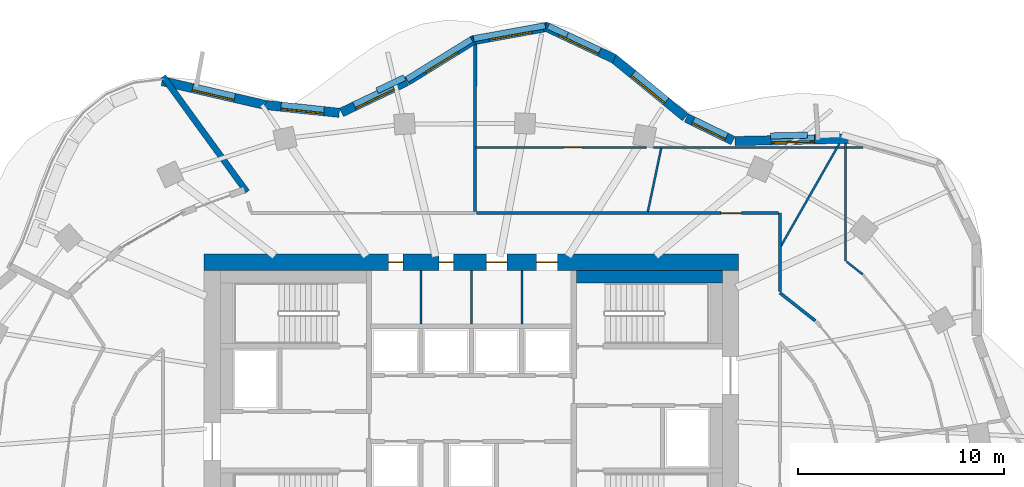
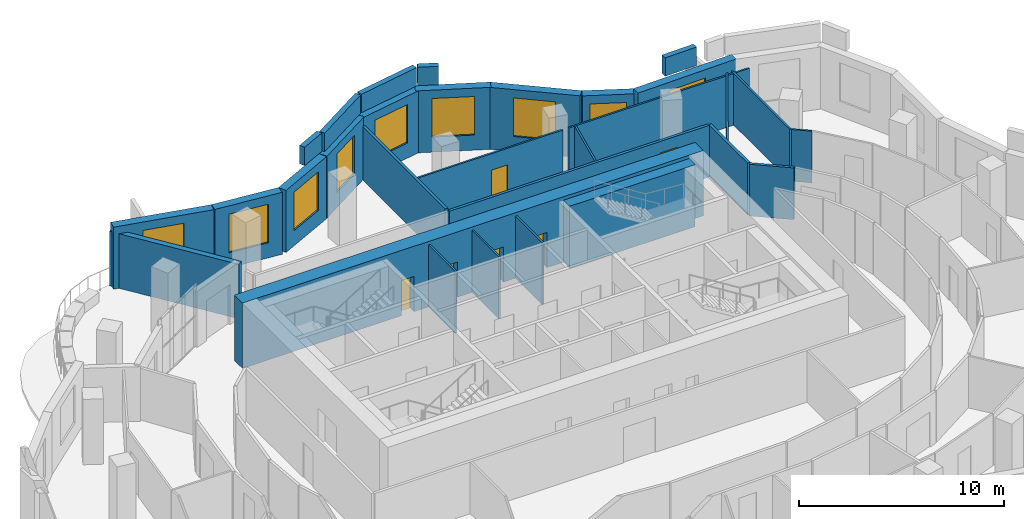
# One storey, part 10 of 13: 30 walls, 9 windows, 6 doors, 15 openings.
"""IFC4 building model written with IfcOpenShell, lengths in metres."""

from ifc_helpers import new_model, si_unit, direction, frame, frame_2d, origin, place, context, subcontext, project, spatial, rectangle, extrude, material, layer, layer_set, type_object, element, fill, save


model = new_model("IFC4")

# Units and contexts
model_context = context("Model", 3, precision=1e-05, world=origin(), true_north=direction((0.0, 1.0)))
body_context = subcontext(model_context, "Body", "Model", "MODEL_VIEW")
ifc_project = project(units=[si_unit("LENGTHUNIT", "METRE"), si_unit("AREAUNIT", "SQUARE_METRE"), si_unit("VOLUMEUNIT", "CUBIC_METRE"), si_unit("PLANEANGLEUNIT", "RADIAN"), si_unit("MASSUNIT", "GRAM", prefix="KILO")], contexts=[model_context])

# Site, building, storey
site_placement = place(None, origin())
site = spatial("IfcSite", under=ifc_project, at=site_placement, CompositionType="ELEMENT")
building_placement = place(site_placement, origin())
building = spatial("IfcBuilding", under=site, at=building_placement, Name="Rubra Terraces Tower", CompositionType="ELEMENT")
storey_placement = place(building_placement, frame((0.0, 0.0, 189.60009765625)))
storey = spatial("IfcBuildingStorey", under=building, at=storey_placement, Name="L46", CompositionType="ELEMENT", Elevation=189.60009765625)

# Wall, opening, window
ifc_material_1 = material(Name="Brick masonry red-brown", Category="masonry")
ifc_layer_1 = layer(ifc_material_1, 0.449951171875)
ifc_layer_set_1 = layer_set([ifc_layer_1], Name="Brick masonry red-brown")
wall_type_1 = type_object("IfcWallType", Name="Brick facade wall 450", PredefinedType="SOLIDWALL", material=ifc_layer_set_1)
wall_1_placement = place(storey_placement, frame((18.433837890625, 17.622314453125, 0.0), z_axis=(0.0, 0.0, 1.0), x_axis=(-0.999773749739, -0.021270856405, 0.0)))
wall_1 = element("IfcWall", 1, at=wall_1_placement, inside=storey, type_object=wall_type_1, Name="Facade wall L46 bay 6", PredefinedType="SOLIDWALL", context=body_context, shape_type="SweptSolid", body=[
    extrude(rectangle(XDim=5.612548828125, YDim=0.449951171875, at=frame_2d((2.80615234375, 0.0))), origin(), (0.0, 0.0, 1.0), 3.699951171875),
])
opening_1_placement = place(wall_1_placement, frame((1.75634765625, 0.0, 0.89990234375)))
opening_1 = element("IfcOpeningElement", 2, at=opening_1_placement, cuts=wall_1, Name="Opening W1B", PredefinedType="OPENING", context=body_context, shape_type="SweptSolid", body=[
    extrude(rectangle(XDim=2.10009765625, YDim=2.300048828125, at=frame_2d((1.050048828125, 1.14990234375))), frame((0.0, 0.23486328125, 0.0), z_axis=(0.0, -1.0, 0.0), x_axis=(1.0, 0.0, 0.0)), (0.0, 0.0, 1.0), 0.469970703125),
])
ifc_material_2 = material(Name="Clear glass in aluminium frame", Category="aluminium")
window_type_1 = type_object("IfcWindowType", Name="Fixed deep-set window tall storey 2100 x 2300", PartitioningType="SINGLE_PANEL", PredefinedType="WINDOW", material=ifc_material_2)
window_1_placement = place(opening_1_placement, origin())
window_1 = element("IfcWindow", 3, at=window_1_placement, inside=storey, type_object=window_type_1, Name="Window L46 bay 6", OverallHeight=2.300048828125, OverallWidth=2.10009765625, PartitioningType="SINGLE_PANEL", PredefinedType="WINDOW", context=body_context, shape_type="SweptSolid", body=[
    extrude(rectangle(XDim=2.10009765625, YDim=2.300048828125, at=frame_2d((1.050048828125, 1.14990234375))), frame((0.0, 0.135009765625, 0.0), z_axis=(0.0, -1.0, 0.0), x_axis=(1.0, 0.0, 0.0)), (0.0, 0.0, 1.0), 0.06005859375),
])
fill(opening_1, window_1)

wall_2_placement = place(storey_placement, frame((12.718994140625, 17.52587890625, 0.0), z_axis=(0.0, 0.0, 1.0), x_axis=(-0.898643806462, 0.438679050226, 0.0)))
wall_2 = element("IfcWall", 4, at=wall_2_placement, inside=storey, type_object=wall_type_1, Name="Facade wall L46 bay 7", PredefinedType="SOLIDWALL", context=body_context, shape_type="SweptSolid", body=[
    extrude(rectangle(XDim=2.5234375, YDim=0.449951171875, at=frame_2d((1.26171875, 0.0))), origin(), (0.0, 0.0, 1.0), 3.699951171875),
])
opening_2_placement = place(wall_2_placement, frame((0.36181640625, 0.0, 0.89990234375)))
opening_2 = element("IfcOpeningElement", 5, at=opening_2_placement, cuts=wall_2, Name="Opening W6B", PredefinedType="OPENING", context=body_context, shape_type="SweptSolid", body=[
    extrude(rectangle(XDim=1.800048828125, YDim=2.300048828125, at=frame_2d((0.89990234375, 1.14990234375))), frame((0.0, 0.23486328125, 0.0), z_axis=(0.0, -1.0, 0.0), x_axis=(1.0, 0.0, 0.0)), (0.0, 0.0, 1.0), 0.469970703125),
])
window_type_2 = type_object("IfcWindowType", Name="Fixed deep-set window at wind fin tall storey 1800 x 2300", PartitioningType="SINGLE_PANEL", PredefinedType="WINDOW", material=ifc_material_2)
window_2_placement = place(opening_2_placement, origin())
window_2 = element("IfcWindow", 6, at=window_2_placement, inside=storey, type_object=window_type_2, Name="Window L46 bay 7", OverallHeight=2.300048828125, OverallWidth=1.800048828125, PartitioningType="SINGLE_PANEL", PredefinedType="WINDOW", context=body_context, shape_type="SweptSolid", body=[
    extrude(rectangle(XDim=1.800048828125, YDim=2.300048828125, at=frame_2d((0.89990234375, 1.14990234375))), frame((0.0, 0.135009765625, 0.0), z_axis=(0.0, -1.0, 0.0), x_axis=(1.0, 0.0, 0.0)), (0.0, 0.0, 1.0), 0.06005859375),
])
fill(opening_2, window_2)

wall_3_placement = place(storey_placement, frame((10.407470703125, 18.660888671875, 0.0), z_axis=(0.0, 0.0, 1.0), x_axis=(-0.773702458947, 0.633549133864, 0.0)))
wall_3 = element("IfcWall", 7, at=wall_3_placement, inside=storey, type_object=wall_type_1, Name="Facade wall L46 bay 8", PredefinedType="SOLIDWALL", context=body_context, shape_type="SweptSolid", body=[
    extrude(rectangle(XDim=4.525634765625, YDim=0.449951171875, at=frame_2d((2.2626953125, 0.0))), origin(), (0.0, 0.0, 1.0), 3.699951171875),
])
opening_3_placement = place(wall_3_placement, frame((1.212890625, 0.0, 0.89990234375)))
opening_3 = element("IfcOpeningElement", 8, at=opening_3_placement, cuts=wall_3, Name="Opening W1B", PredefinedType="OPENING", context=body_context, shape_type="SweptSolid", body=[
    extrude(rectangle(XDim=2.10009765625, YDim=2.300048828125, at=frame_2d((1.050048828125, 1.14990234375))), frame((0.0, 0.23486328125, 0.0), z_axis=(0.0, -1.0, 0.0), x_axis=(1.0, 0.0, 0.0)), (0.0, 0.0, 1.0), 0.469970703125),
])
window_3_placement = place(opening_3_placement, origin())
window_3 = element("IfcWindow", 9, at=window_3_placement, inside=storey, type_object=window_type_1, Name="Window L46 bay 8", OverallHeight=2.300048828125, OverallWidth=2.10009765625, PartitioningType="SINGLE_PANEL", PredefinedType="WINDOW", context=body_context, shape_type="SweptSolid", body=[
    extrude(rectangle(XDim=2.10009765625, YDim=2.300048828125, at=frame_2d((1.050048828125, 1.14990234375))), frame((0.0, 0.135009765625, 0.0), z_axis=(0.0, -1.0, 0.0), x_axis=(1.0, 0.0, 0.0)), (0.0, 0.0, 1.0), 0.06005859375),
])
fill(opening_3, window_3)

wall_4_placement = place(storey_placement, frame((6.952880859375, 21.49853515625, 0.0), z_axis=(0.0, 0.0, 1.0), x_axis=(-0.905034581957, 0.425337989676, 0.0)))
wall_4 = element("IfcWall", 10, at=wall_4_placement, inside=storey, type_object=wall_type_1, Name="Facade wall L46 bay 9", PredefinedType="SOLIDWALL", context=body_context, shape_type="SweptSolid", body=[
    extrude(rectangle(XDim=3.71435546875, YDim=0.449951171875, at=frame_2d((1.857177734375, 0.0))), origin(), (0.0, 0.0, 1.0), 3.699951171875),
])
opening_4_placement = place(wall_4_placement, frame((0.80712890625, 0.0, 0.89990234375)))
opening_4 = element("IfcOpeningElement", 11, at=opening_4_placement, cuts=wall_4, Name="Opening W1B", PredefinedType="OPENING", context=body_context, shape_type="SweptSolid", body=[
    extrude(rectangle(XDim=2.10009765625, YDim=2.300048828125, at=frame_2d((1.050048828125, 1.14990234375))), frame((0.0, 0.23486328125, 0.0), z_axis=(0.0, -1.0, 0.0), x_axis=(1.0, 0.0, 0.0)), (0.0, 0.0, 1.0), 0.469970703125),
])
window_4_placement = place(opening_4_placement, origin())
window_4 = element("IfcWindow", 12, at=window_4_placement, inside=storey, type_object=window_type_1, Name="Window L46 bay 9", OverallHeight=2.300048828125, OverallWidth=2.10009765625, PartitioningType="SINGLE_PANEL", PredefinedType="WINDOW", context=body_context, shape_type="SweptSolid", body=[
    extrude(rectangle(XDim=2.10009765625, YDim=2.300048828125, at=frame_2d((1.050048828125, 1.14990234375))), frame((0.0, 0.135009765625, 0.0), z_axis=(0.0, -1.0, 0.0), x_axis=(1.0, 0.0, 0.0)), (0.0, 0.0, 1.0), 0.06005859375),
])
fill(opening_4, window_4)

wall_5_placement = place(storey_placement, frame((3.726806640625, 23.060546875, 0.0), z_axis=(0.0, 0.0, 1.0), x_axis=(-0.984119180424, -0.177508982087, 0.0)))
wall_5 = element("IfcWall", 13, at=wall_5_placement, inside=storey, type_object=wall_type_1, Name="Facade wall L46 bay 10", PredefinedType="SOLIDWALL", context=body_context, shape_type="SweptSolid", body=[
    extrude(rectangle(XDim=3.74658203125, YDim=0.449951171875, at=frame_2d((1.873291015625, 0.0))), origin(), (0.0, 0.0, 1.0), 3.699951171875),
])
opening_5_placement = place(wall_5_placement, frame((0.8232421875, 0.0, 0.89990234375)))
opening_5 = element("IfcOpeningElement", 14, at=opening_5_placement, cuts=wall_5, Name="Opening W1B", PredefinedType="OPENING", context=body_context, shape_type="SweptSolid", body=[
    extrude(rectangle(XDim=2.10009765625, YDim=2.300048828125, at=frame_2d((1.050048828125, 1.14990234375))), frame((0.0, 0.23486328125, 0.0), z_axis=(0.0, -1.0, 0.0), x_axis=(1.0, 0.0, 0.0)), (0.0, 0.0, 1.0), 0.469970703125),
])
window_5_placement = place(opening_5_placement, origin())
window_5 = element("IfcWindow", 15, at=window_5_placement, inside=storey, type_object=window_type_1, Name="Window L46 bay 10", OverallHeight=2.300048828125, OverallWidth=2.10009765625, PartitioningType="SINGLE_PANEL", PredefinedType="WINDOW", context=body_context, shape_type="SweptSolid", body=[
    extrude(rectangle(XDim=2.10009765625, YDim=2.300048828125, at=frame_2d((1.050048828125, 1.14990234375))), frame((0.0, 0.135009765625, 0.0), z_axis=(0.0, -1.0, 0.0), x_axis=(1.0, 0.0, 0.0)), (0.0, 0.0, 1.0), 0.06005859375),
])
fill(opening_5, window_5)

wall_6_placement = place(storey_placement, frame((0.114990234375, 22.423583984375, 0.0), z_axis=(0.0, 0.0, 1.0), x_axis=(-0.8506970368, -0.525656305564, 0.0)))
wall_6 = element("IfcWall", 16, at=wall_6_placement, inside=storey, type_object=wall_type_1, Name="Facade wall L46 bay 11", PredefinedType="SOLIDWALL", context=body_context, shape_type="SweptSolid", body=[
    extrude(rectangle(XDim=3.81640625, YDim=0.449951171875, at=frame_2d((1.908203125, 0.0))), origin(), (0.0, 0.0, 1.0), 3.699951171875),
])
opening_6_placement = place(wall_6_placement, frame((1.00830078125, 0.0, 0.89990234375)))
opening_6 = element("IfcOpeningElement", 17, at=opening_6_placement, cuts=wall_6, Name="Opening W6B", PredefinedType="OPENING", context=body_context, shape_type="SweptSolid", body=[
    extrude(rectangle(XDim=1.800048828125, YDim=2.300048828125, at=frame_2d((0.89990234375, 1.14990234375))), frame((0.0, 0.23486328125, 0.0), z_axis=(0.0, -1.0, 0.0), x_axis=(1.0, 0.0, 0.0)), (0.0, 0.0, 1.0), 0.469970703125),
])
window_6_placement = place(opening_6_placement, origin())
window_6 = element("IfcWindow", 18, at=window_6_placement, inside=storey, type_object=window_type_2, Name="Window L46 bay 11", OverallHeight=2.300048828125, OverallWidth=1.800048828125, PartitioningType="SINGLE_PANEL", PredefinedType="WINDOW", context=body_context, shape_type="SweptSolid", body=[
    extrude(rectangle(XDim=1.800048828125, YDim=2.300048828125, at=frame_2d((0.89990234375, 1.14990234375))), frame((0.0, 0.135009765625, 0.0), z_axis=(0.0, -1.0, 0.0), x_axis=(1.0, 0.0, 0.0)), (0.0, 0.0, 1.0), 0.06005859375),
])
fill(opening_6, window_6)

wall_7_placement = place(storey_placement, frame((-3.153564453125, 20.406005859375, 0.0), z_axis=(0.0, 0.0, 1.0), x_axis=(-0.902333313, -0.431038968367, 0.0)))
wall_7 = element("IfcWall", 19, at=wall_7_placement, inside=storey, type_object=wall_type_1, Name="Facade wall L46 bay 12", PredefinedType="SOLIDWALL", context=body_context, shape_type="SweptSolid", body=[
    extrude(rectangle(XDim=3.50537109375, YDim=0.449951171875, at=frame_2d((1.752685546875, 0.0))), origin(), (0.0, 0.0, 1.0), 3.699951171875),
])
opening_7_placement = place(wall_7_placement, frame((0.702880859375, 0.0, 0.89990234375)))
opening_7 = element("IfcOpeningElement", 20, at=opening_7_placement, cuts=wall_7, Name="Opening W1B", PredefinedType="OPENING", context=body_context, shape_type="SweptSolid", body=[
    extrude(rectangle(XDim=2.10009765625, YDim=2.300048828125, at=frame_2d((1.050048828125, 1.14990234375))), frame((0.0, 0.23486328125, 0.0), z_axis=(0.0, -1.0, 0.0), x_axis=(1.0, 0.0, 0.0)), (0.0, 0.0, 1.0), 0.469970703125),
])
window_7_placement = place(opening_7_placement, origin())
window_7 = element("IfcWindow", 21, at=window_7_placement, inside=storey, type_object=window_type_1, Name="Window L46 bay 12", OverallHeight=2.300048828125, OverallWidth=2.10009765625, PartitioningType="SINGLE_PANEL", PredefinedType="WINDOW", context=body_context, shape_type="SweptSolid", body=[
    extrude(rectangle(XDim=2.10009765625, YDim=2.300048828125, at=frame_2d((1.050048828125, 1.14990234375))), frame((0.0, 0.135009765625, 0.0), z_axis=(0.0, -1.0, 0.0), x_axis=(1.0, 0.0, 0.0)), (0.0, 0.0, 1.0), 0.06005859375),
])
fill(opening_7, window_7)

wall_8_placement = place(storey_placement, frame((-6.4267578125, 18.875244140625, 0.0), z_axis=(0.0, 0.0, 1.0), x_axis=(-0.994433468803, 0.10536638992, 0.0)))
wall_8 = element("IfcWall", 22, at=wall_8_placement, inside=storey, type_object=wall_type_1, Name="Facade wall L46 bay 13", PredefinedType="SOLIDWALL", context=body_context, shape_type="SweptSolid", body=[
    extrude(rectangle(XDim=3.598388671875, YDim=0.449951171875, at=frame_2d((1.79931640625, 0.0))), origin(), (0.0, 0.0, 1.0), 3.699951171875),
])
opening_8_placement = place(wall_8_placement, frame((0.749267578125, 0.0, 0.89990234375)))
opening_8 = element("IfcOpeningElement", 23, at=opening_8_placement, cuts=wall_8, Name="Opening W1B", PredefinedType="OPENING", context=body_context, shape_type="SweptSolid", body=[
    extrude(rectangle(XDim=2.10009765625, YDim=2.300048828125, at=frame_2d((1.050048828125, 1.14990234375))), frame((0.0, 0.23486328125, 0.0), z_axis=(0.0, -1.0, 0.0), x_axis=(1.0, 0.0, 0.0)), (0.0, 0.0, 1.0), 0.469970703125),
])
window_8_placement = place(opening_8_placement, origin())
window_8 = element("IfcWindow", 24, at=window_8_placement, inside=storey, type_object=window_type_1, Name="Window L46 bay 13", OverallHeight=2.300048828125, OverallWidth=2.10009765625, PartitioningType="SINGLE_PANEL", PredefinedType="WINDOW", context=body_context, shape_type="SweptSolid", body=[
    extrude(rectangle(XDim=2.10009765625, YDim=2.300048828125, at=frame_2d((1.050048828125, 1.14990234375))), frame((0.0, 0.135009765625, 0.0), z_axis=(0.0, -1.0, 0.0), x_axis=(1.0, 0.0, 0.0)), (0.0, 0.0, 1.0), 0.06005859375),
])
fill(opening_8, window_8)

wall_9_placement = place(storey_placement, frame((-10.0341796875, 19.258544921875, 0.0), z_axis=(0.0, 0.0, 1.0), x_axis=(-0.974223567844, 0.225584662283, 0.0)))
wall_9 = element("IfcWall", 25, at=wall_9_placement, inside=storey, type_object=wall_type_1, Name="Facade wall L46 bay 14", PredefinedType="SOLIDWALL", context=body_context, shape_type="SweptSolid", body=[
    extrude(rectangle(XDim=5.138671875, YDim=0.449951171875, at=frame_2d((2.5693359375, 0.0))), origin(), (0.0, 0.0, 1.0), 3.699951171875),
])
opening_9_placement = place(wall_9_placement, frame((1.51904296875, 0.0, 0.89990234375)))
opening_9 = element("IfcOpeningElement", 26, at=opening_9_placement, cuts=wall_9, Name="Opening W1B", PredefinedType="OPENING", context=body_context, shape_type="SweptSolid", body=[
    extrude(rectangle(XDim=2.10009765625, YDim=2.300048828125, at=frame_2d((1.050048828125, 1.14990234375))), frame((0.0, 0.23486328125, 0.0), z_axis=(0.0, -1.0, 0.0), x_axis=(1.0, 0.0, 0.0)), (0.0, 0.0, 1.0), 0.469970703125),
])
window_9_placement = place(opening_9_placement, origin())
window_9 = element("IfcWindow", 27, at=window_9_placement, inside=storey, type_object=window_type_1, Name="Window L46 bay 14", OverallHeight=2.300048828125, OverallWidth=2.10009765625, PartitioningType="SINGLE_PANEL", PredefinedType="WINDOW", context=body_context, shape_type="SweptSolid", body=[
    extrude(rectangle(XDim=2.10009765625, YDim=2.300048828125, at=frame_2d((1.050048828125, 1.14990234375))), frame((0.0, 0.135009765625, 0.0), z_axis=(0.0, -1.0, 0.0), x_axis=(1.0, 0.0, 0.0)), (0.0, 0.0, 1.0), 0.06005859375),
])
fill(opening_9, window_9)

# Walls
ifc_layer_2 = layer(ifc_material_1, 0.300048828125)
ifc_layer_set_2 = layer_set([ifc_layer_2], Name="Brick masonry red-brown")
wall_type_2 = type_object("IfcWallType", Name="Brick parapet 300", PredefinedType="PARAPET", material=ifc_layer_set_2)
wall_10_placement = place(storey_placement, frame((16.339599609375, 17.791259765625, 3.89990234375), z_axis=(0.0, 0.0, 1.0), x_axis=(-0.999776010316, -0.021164337831, 0.0)))
element("IfcWall", 28, at=wall_10_placement, inside=storey, type_object=wall_type_2, Name="Parapet L46 bay 6.2", PredefinedType="PARAPET", context=body_context, shape_type="SweptSolid", body=[
    extrude(rectangle(XDim=1.7880859375, YDim=0.300048828125, at=frame_2d((0.89404296875, 0.0))), origin(), (0.0, 0.0, 1.0), 1.10009765625),
])
wall_11_placement = place(storey_placement, frame((4.66650390625, 22.656005859375, 3.89990234375), z_axis=(0.0, 0.0, 1.0), x_axis=(-0.905050240273, 0.425304670304, 0.0)))
element("IfcWall", 29, at=wall_11_placement, inside=storey, type_object=wall_type_2, Name="Parapet L46 bay 9", PredefinedType="PARAPET", context=body_context, shape_type="SweptSolid", body=[
    extrude(rectangle(XDim=1.02685546875, YDim=0.300048828125, at=frame_2d((0.513427734375, 0.0))), origin(), (0.0, 0.0, 1.0), 1.10009765625),
])
wall_12_placement = place(storey_placement, frame((3.58984375, 23.112060546875, 3.89990234375), z_axis=(0.0, 0.0, 1.0), x_axis=(-0.984124248147, -0.177480884064, 0.0)))
element("IfcWall", 30, at=wall_12_placement, inside=storey, type_object=wall_type_2, Name="Parapet L46 bay 10", PredefinedType="PARAPET", context=body_context, shape_type="SweptSolid", body=[
    extrude(rectangle(XDim=3.533935546875, YDim=0.300048828125, at=frame_2d((1.76708984375, 0.0))), origin(), (0.0, 0.0, 1.0), 1.10009765625),
])
wall_13_placement = place(storey_placement, frame((0.0048828125, 22.443603515625, 3.89990234375), z_axis=(0.0, 0.0, 1.0), x_axis=(-0.850710394144, -0.525634688063, 0.0)))
element("IfcWall", 31, at=wall_13_placement, inside=storey, type_object=wall_type_2, Name="Parapet L46 bay 11", PredefinedType="PARAPET", context=body_context, shape_type="SweptSolid", body=[
    extrude(rectangle(XDim=3.701904296875, YDim=0.300048828125, at=frame_2d((1.85107421875, 0.0))), origin(), (0.0, 0.0, 1.0), 1.10009765625),
])
wall_14_placement = place(storey_placement, frame((-3.2392578125, 20.594482421875, 3.89990234375), z_axis=(0.0, 0.0, 1.0), x_axis=(-0.902344893923, -0.431014724123, 0.0)))
element("IfcWall", 32, at=wall_14_placement, inside=storey, type_object=wall_type_2, Name="Parapet L46 bay 12", PredefinedType="PARAPET", context=body_context, shape_type="SweptSolid", body=[
    extrude(rectangle(XDim=1.48974609375, YDim=0.300048828125, at=frame_2d((0.744873046875, 0.0))), origin(), (0.0, 0.0, 1.0), 1.10009765625),
])

# Wall, openings, doors
ifc_material_3 = material(Name="Concrete C50", Category="concrete")
ifc_layer_3 = layer(ifc_material_3, 0.800048828125)
ifc_layer_set_3 = layer_set([ifc_layer_3], Name="Concrete C50")
wall_type_3 = type_object("IfcWallType", Name="CORE WALL 800 C50", PredefinedType="SHEAR", material=ifc_layer_set_3)
wall_15_placement = place(storey_placement, frame((-13.0, 11.60009765625, 0.0), z_axis=(0.0, 0.0, 1.0), x_axis=(1.0, 0.0, 0.0)))
wall_15 = element("IfcWall", 33, at=wall_15_placement, inside=storey, type_object=wall_type_3, Name="CORE WALL N L46", PredefinedType="SHEAR", context=body_context, shape_type="SweptSolid", body=[
    extrude(rectangle(XDim=26.0, YDim=0.800048828125, at=frame_2d((13.0, 0.0))), origin(), (0.0, 0.0, 1.0), 3.89990234375),
])
opening_10_placement = place(wall_15_placement, frame((8.97509765625, 0.0, 0.0)))
opening_10 = element("IfcOpeningElement", 34, at=opening_10_placement, cuts=wall_15, Name="Opening L46.C25", PredefinedType="OPENING", context=body_context, shape_type="SweptSolid", body=[
    extrude(rectangle(XDim=0.699951171875, YDim=2.10009765625, at=frame_2d((0.35009765625, 1.050048828125))), frame((0.0, 0.409912109375, 0.0), z_axis=(0.0, -1.0, 0.0), x_axis=(1.0, 0.0, 0.0)), (0.0, 0.0, 1.0), 0.820068359375),
])
opening_11_placement = place(wall_15_placement, frame((11.425048828125, 0.0, 0.0)))
opening_11 = element("IfcOpeningElement", 35, at=opening_11_placement, cuts=wall_15, Name="Opening L46.C26", PredefinedType="OPENING", context=body_context, shape_type="SweptSolid", body=[
    extrude(rectangle(XDim=0.699951171875, YDim=2.10009765625, at=frame_2d((0.35009765625, 1.050048828125))), frame((0.0, 0.409912109375, 0.0), z_axis=(0.0, -1.0, 0.0), x_axis=(1.0, 0.0, 0.0)), (0.0, 0.0, 1.0), 0.820068359375),
])
opening_12_placement = place(wall_15_placement, frame((13.72509765625, 0.0, 0.0)))
opening_12 = element("IfcOpeningElement", 36, at=opening_12_placement, cuts=wall_15, Name="Opening L46.C27", PredefinedType="OPENING", context=body_context, shape_type="SweptSolid", body=[
    extrude(rectangle(XDim=1.0, YDim=2.10009765625, at=frame_2d((0.5, 1.050048828125))), frame((0.0, 0.409912109375, 0.0), z_axis=(0.0, -1.0, 0.0), x_axis=(1.0, 0.0, 0.0)), (0.0, 0.0, 1.0), 0.820068359375),
])
opening_13_placement = place(wall_15_placement, frame((16.175048828125, 0.0, 0.0)))
opening_13 = element("IfcOpeningElement", 37, at=opening_13_placement, cuts=wall_15, Name="Opening L46.C28", PredefinedType="OPENING", context=body_context, shape_type="SweptSolid", body=[
    extrude(rectangle(XDim=1.0, YDim=2.10009765625, at=frame_2d((0.5, 1.050048828125))), frame((0.0, 0.409912109375, 0.0), z_axis=(0.0, -1.0, 0.0), x_axis=(1.0, 0.0, 0.0)), (0.0, 0.0, 1.0), 0.820068359375),
])
ifc_material_4 = material(Name="Painted steel", Category="steel")
door_type_1 = type_object("IfcDoorType", Name="Fire door 1000x2100 single", OperationType="NOTDEFINED", PredefinedType="DOOR", material=ifc_material_4)
door_1_placement = place(opening_12_placement, origin())
door_1 = element("IfcDoor", 38, at=door_1_placement, inside=storey, type_object=door_type_1, Name="Tea point door", OperationType="SINGLE_SWING_LEFT", OverallHeight=2.10009765625, OverallWidth=1.0, PredefinedType="DOOR", context=body_context, shape_type="SweptSolid", body=[
    extrude(rectangle(XDim=1.0, YDim=2.10009765625, at=frame_2d((0.5, 1.050048828125))), frame((0.0, 0.02490234375, 0.0), z_axis=(0.0, -1.0, 0.0), x_axis=(1.0, 0.0, 0.0)), (0.0, 0.0, 1.0), 0.050048828125),
])
fill(opening_12, door_1)
door_2_placement = place(opening_13_placement, origin())
door_2 = element("IfcDoor", 39, at=door_2_placement, inside=storey, type_object=door_type_1, Name="General store door", OperationType="SINGLE_SWING_RIGHT", OverallHeight=2.10009765625, OverallWidth=1.0, PredefinedType="DOOR", context=body_context, shape_type="SweptSolid", body=[
    extrude(rectangle(XDim=1.0, YDim=2.10009765625, at=frame_2d((0.5, 1.050048828125))), frame((0.0, 0.02490234375, 0.0), z_axis=(0.0, -1.0, 0.0), x_axis=(1.0, 0.0, 0.0)), (0.0, 0.0, 1.0), 0.050048828125),
])
fill(opening_13, door_2)
door_type_2 = type_object("IfcDoorType", Name="Riser access door 700x2100 single", OperationType="NOTDEFINED", PredefinedType="DOOR", material=ifc_material_4)
door_3_placement = place(opening_10_placement, origin())
door_3 = element("IfcDoor", 40, at=door_3_placement, inside=storey, type_object=door_type_2, Name="Electrical riser room door", OperationType="SINGLE_SWING_LEFT", OverallHeight=2.10009765625, OverallWidth=0.699951171875, PredefinedType="DOOR", context=body_context, shape_type="SweptSolid", body=[
    extrude(rectangle(XDim=0.699951171875, YDim=2.10009765625, at=frame_2d((0.35009765625, 1.050048828125))), frame((0.0, 0.02490234375, 0.0), z_axis=(0.0, -1.0, 0.0), x_axis=(1.0, 0.0, 0.0)), (0.0, 0.0, 1.0), 0.050048828125),
])
fill(opening_10, door_3)
door_4_placement = place(opening_11_placement, origin())
door_4 = element("IfcDoor", 41, at=door_4_placement, inside=storey, type_object=door_type_2, Name="Telecoms room door", OperationType="SINGLE_SWING_RIGHT", OverallHeight=2.10009765625, OverallWidth=0.699951171875, PredefinedType="DOOR", context=body_context, shape_type="SweptSolid", body=[
    extrude(rectangle(XDim=0.699951171875, YDim=2.10009765625, at=frame_2d((0.35009765625, 1.050048828125))), frame((0.0, 0.02490234375, 0.0), z_axis=(0.0, -1.0, 0.0), x_axis=(1.0, 0.0, 0.0)), (0.0, 0.0, 1.0), 0.050048828125),
])
fill(opening_11, door_4)

# Walls
ifc_material_5 = material(Name="Plasterboard on steel stud, mineral wool infill", Category="steel")
ifc_layer_4 = layer(ifc_material_5, 0.14990234375)
ifc_layer_set_4 = layer_set([ifc_layer_4], Name="Plasterboard on steel stud, mineral wool infill")
wall_type_4 = type_object("IfcWallType", Name="CORRIDOR PARTITION 150", PredefinedType="PARTITIONING", material=ifc_layer_set_4)
wall_16_placement = place(storey_placement, frame((16.723876953125, 8.761474609375, 0.0), z_axis=(0.0, 0.0, 1.0), x_axis=(-0.785124633057, 0.619337800047, 0.0)))
element("IfcWall", 42, at=wall_16_placement, inside=storey, type_object=wall_type_4, Name="PARTITION", PredefinedType="PARTITIONING", context=body_context, shape_type="SweptSolid", body=[
    extrude(rectangle(XDim=2.195556640625, YDim=0.14990234375, at=frame_2d((1.09765625, 0.0))), origin(), (0.0, 0.0, 1.0), 3.083984375),
])
wall_17_placement = place(storey_placement, frame((15.0, 10.1962890625, 0.0), z_axis=(0.0, 0.0, 1.0), x_axis=(0.0, 1.0, 0.0)))
element("IfcWall", 43, at=wall_17_placement, inside=storey, type_object=wall_type_4, Name="PARTITION", PredefinedType="PARTITIONING", context=body_context, shape_type="SweptSolid", body=[
    extrude(rectangle(XDim=3.8037109375, YDim=0.14990234375, at=frame_2d((1.90185546875, 0.0))), origin(), (0.0, 0.0, 1.0), 3.083984375),
])

# Wall, opening, door
wall_18_placement = place(storey_placement, frame((14.925048828125, 14.0, 0.0), z_axis=(0.0, 0.0, 1.0), x_axis=(-1.0, 0.0, 0.0)))
wall_18 = element("IfcWall", 44, at=wall_18_placement, inside=storey, type_object=wall_type_4, Name="PARTITION", PredefinedType="PARTITIONING", context=body_context, shape_type="SweptSolid", body=[
    extrude(rectangle(XDim=14.677001953125, YDim=0.14990234375, at=frame_2d((7.33837890625, 0.0))), origin(), (0.0, 0.0, 1.0), 3.083984375),
])
opening_14_placement = place(wall_18_placement, frame((1.794921875, 0.0, 0.0)))
opening_14 = element("IfcOpeningElement", 45, at=opening_14_placement, cuts=wall_18, Name="Opening 46-117", PredefinedType="OPENING", context=body_context, shape_type="SweptSolid", body=[
    extrude(rectangle(XDim=1.0, YDim=2.39990234375, at=frame_2d((0.5, 1.199951171875))), frame((0.0, 0.0849609375, 0.0), z_axis=(0.0, -1.0, 0.0), x_axis=(1.0, 0.0, 0.0)), (0.0, 0.0, 1.0), 0.169921875),
])
ifc_material_6 = material(Name="Glazed aluminium meeting door leaf", Category="aluminium")
door_type_3 = type_object("IfcDoorType", Name="MEETING ROOM GLAZED DOOR 1000 X 2400", OperationType="SINGLE_SWING_LEFT", PredefinedType="DOOR", material=ifc_material_6)
door_5_placement = place(opening_14_placement, origin())
door_5 = element("IfcDoor", 46, at=door_5_placement, inside=storey, type_object=door_type_3, Name="DOOR 46-117", OperationType="SINGLE_SWING_RIGHT", OverallHeight=2.39990234375, OverallWidth=1.0, PredefinedType="DOOR", context=body_context, shape_type="SweptSolid", body=[
    extrude(rectangle(XDim=1.0, YDim=2.39990234375, at=frame_2d((0.5, 1.199951171875))), frame((0.0, 0.02490234375, 0.0), z_axis=(0.0, -1.0, 0.0), x_axis=(1.0, 0.0, 0.0)), (0.0, 0.0, 1.0), 0.050048828125),
])
fill(opening_14, door_5)

# Wall
ifc_material_7 = material(Name="Concrete C40", Category="concrete")
ifc_layer_5 = layer(ifc_material_7, 0.60009765625)
ifc_layer_set_5 = layer_set([ifc_layer_5], Name="Concrete C40")
wall_type_5 = type_object("IfcWallType", Name="Core lining wall 600 concrete", PredefinedType="SOLIDWALL", material=ifc_layer_set_5)
wall_19_placement = place(storey_placement, frame((12.199951171875, 10.89990234375, 0.0), z_axis=(0.0, 0.0, 1.0), x_axis=(-1.0, 0.0, 0.0)))
element("IfcWall", 47, at=wall_19_placement, inside=storey, type_object=wall_type_5, Name="CORE LINING WALL L46", PredefinedType="SOLIDWALL", context=body_context, shape_type="SweptSolid", body=[
    extrude(rectangle(XDim=7.099853515625, YDim=0.60009765625, at=frame_2d((3.5498046875, 0.0))), origin(), (0.0, 0.0, 1.0), 3.699951171875),
])

# Wall, opening, door
ifc_material_8 = material(Name="Plasterboard on steel stud", Category="steel")
ifc_layer_6 = layer(ifc_material_8, 0.10009765625)
ifc_layer_set_6 = layer_set([ifc_layer_6], Name="Plasterboard on steel stud")
wall_type_6 = type_object("IfcWallType", Name="ROOM PARTITION 100", PredefinedType="PARTITIONING", material=ifc_layer_set_6)
wall_20_placement = place(storey_placement, frame((0.199462890625, 17.199951171875, 0.0), z_axis=(0.0, 0.0, 1.0), x_axis=(1.0, 0.0, 0.0)))
wall_20 = element("IfcWall", 48, at=wall_20_placement, inside=storey, type_object=wall_type_6, Name="PARTITION", PredefinedType="PARTITIONING", context=body_context, shape_type="SweptSolid", body=[
    extrude(rectangle(XDim=8.32177734375, YDim=0.10009765625, at=frame_2d((4.160888671875, 0.0))), origin(), (0.0, 0.0, 1.0), 3.083984375),
])
opening_15_placement = place(wall_20_placement, frame((4.281005859375, 0.0, 0.0)))
opening_15 = element("IfcOpeningElement", 49, at=opening_15_placement, cuts=wall_20, Name="Opening 46-118", PredefinedType="OPENING", context=body_context, shape_type="SweptSolid", body=[
    extrude(rectangle(XDim=0.89990234375, YDim=2.10009765625, at=frame_2d((0.449951171875, 1.050048828125))), frame((0.0, 0.06005859375, 0.0), z_axis=(0.0, -1.0, 0.0), x_axis=(1.0, 0.0, 0.0)), (0.0, 0.0, 1.0), 0.1201171875),
])
ifc_material_9 = material(Name="Painted timber door leaf", Category="wood")
door_type_4 = type_object("IfcDoorType", Name="ROOM DOOR 900 X 2100", OperationType="SINGLE_SWING_LEFT", PredefinedType="DOOR", material=ifc_material_9)
door_6_placement = place(opening_15_placement, origin())
door_6 = element("IfcDoor", 50, at=door_6_placement, inside=storey, type_object=door_type_4, Name="DOOR 46-118", OperationType="SINGLE_SWING_RIGHT", OverallHeight=2.10009765625, OverallWidth=0.89990234375, PredefinedType="DOOR", context=body_context, shape_type="SweptSolid", body=[
    extrude(rectangle(XDim=0.89990234375, YDim=2.10009765625, at=frame_2d((0.449951171875, 1.050048828125))), frame((0.0, 0.02490234375, 0.0), z_axis=(0.0, -1.0, 0.0), x_axis=(1.0, 0.0, 0.0)), (0.0, 0.0, 1.0), 0.050048828125),
])
fill(opening_15, door_6)

# Walls
wall_21_placement = place(storey_placement, frame((8.84521484375, 17.199951171875, 0.0), z_axis=(0.0, 0.0, 1.0), x_axis=(1.0, 0.0, 0.0)))
element("IfcWall", 51, at=wall_21_placement, inside=storey, type_object=wall_type_6, Name="PARTITION", PredefinedType="PARTITIONING", context=body_context, shape_type="SweptSolid", body=[
    extrude(rectangle(XDim=10.204345703125, YDim=0.10009765625, at=frame_2d((5.10205078125, 0.0))), origin(), (0.0, 0.0, 1.0), 3.083984375),
])
wall_22_placement = place(storey_placement, frame((18.199951171875, 17.382080078125, 0.0), z_axis=(0.0, 0.0, 1.0), x_axis=(0.0, -1.0, 0.0)))
element("IfcWall", 52, at=wall_22_placement, inside=storey, type_object=wall_type_6, Name="PARTITION", PredefinedType="PARTITIONING", context=body_context, shape_type="SweptSolid", body=[
    extrude(rectangle(XDim=5.709228515625, YDim=0.10009765625, at=frame_2d((2.8544921875, 0.0))), origin(), (0.0, 0.0, 1.0), 3.083984375),
])
wall_23_placement = place(storey_placement, frame((18.2392578125, 11.641845703125, 0.0), z_axis=(0.0, 0.0, 1.0), x_axis=(0.785068171188, -0.619409369147, 0.0)))
element("IfcWall", 53, at=wall_23_placement, inside=storey, type_object=wall_type_6, Name="PARTITION", PredefinedType="PARTITIONING", context=body_context, shape_type="SweptSolid", body=[
    extrude(rectangle(XDim=1.010986328125, YDim=0.10009765625, at=frame_2d((0.50537109375, 0.0))), origin(), (0.0, 0.0, 1.0), 3.083984375),
])
wall_24_placement = place(storey_placement, frame((15.037109375, 12.37109375, 0.0), z_axis=(0.0, 0.0, 1.0), x_axis=(0.495783132286, 0.868446363192, 0.0)))
element("IfcWall", 54, at=wall_24_placement, inside=storey, type_object=wall_type_6, Name="PARTITION", PredefinedType="PARTITIONING", context=body_context, shape_type="SweptSolid", body=[
    extrude(rectangle(XDim=5.764404296875, YDim=0.10009765625, at=frame_2d((2.88232421875, 0.0))), origin(), (0.0, 0.0, 1.0), 3.083984375),
])
wall_25_placement = place(storey_placement, frame((8.58251953125, 14.073486328125, 0.0), z_axis=(0.0, 0.0, 1.0), x_axis=(0.205423544296, 0.978673166818, 0.0)))
element("IfcWall", 55, at=wall_25_placement, inside=storey, type_object=wall_type_6, Name="PARTITION", PredefinedType="PARTITIONING", context=body_context, shape_type="SweptSolid", body=[
    extrude(rectangle(XDim=3.144775390625, YDim=0.10009765625, at=frame_2d((1.572265625, 0.0))), origin(), (0.0, 0.0, 1.0), 3.083984375),
])
ifc_layer_7 = layer(ifc_material_8, 0.14990234375)
ifc_layer_set_7 = layer_set([ifc_layer_7], Name="Plasterboard on steel stud")
wall_type_7 = type_object("IfcWallType", Name="ROOM PARTITION 150", PredefinedType="PARTITIONING", material=ifc_layer_set_7)
wall_26_placement = place(storey_placement, frame((0.189208984375, 22.189697265625, 0.0), z_axis=(0.0, 0.0, 1.0), x_axis=(-0.001985675127, -0.999998028545, 0.0)))
element("IfcWall", 56, at=wall_26_placement, inside=storey, type_object=wall_type_7, Name="PARTITION", PredefinedType="PARTITIONING", context=body_context, shape_type="SweptSolid", body=[
    extrude(rectangle(XDim=8.11474609375, YDim=0.14990234375, at=frame_2d((4.057373046875, 0.0))), origin(), (0.0, 0.0, 1.0), 3.183837890625),
])
ifc_material_10 = material(Name="Brick masonry with rose lime render", Category="masonry")
ifc_layer_8 = layer(ifc_material_10, 0.300048828125)
ifc_layer_set_8 = layer_set([ifc_layer_8], Name="Brick masonry with rose lime render")
wall_type_8 = type_object("IfcWallType", Name="Rose rendered brick wall 300", PredefinedType="SOLIDWALL", material=ifc_layer_set_8)
wall_27_placement = place(storey_placement, frame((-14.993896484375, 20.637939453125, 0.0), z_axis=(0.0, 0.0, 1.0), x_axis=(0.587753186398, -0.80904029064, 0.0)))
element("IfcWall", 57, at=wall_27_placement, inside=storey, type_object=wall_type_8, Name="Terrace side wall L46.1", PredefinedType="SOLIDWALL", context=body_context, shape_type="SweptSolid", body=[
    extrude(rectangle(XDim=6.9384765625, YDim=0.300048828125, at=frame_2d((3.46923828125, 0.0))), origin(), (0.0, 0.0, 1.0), 3.25390625),
])
ifc_material_11 = material(Name="Blockwork", Category="masonry")
ifc_layer_9 = layer(ifc_material_11, 0.10009765625)
ifc_layer_set_9 = layer_set([ifc_layer_9], Name="Blockwork")
wall_type_9 = type_object("IfcWallType", Name="Service partition 100 blockwork", PredefinedType="PARTITIONING", material=ifc_layer_set_9)
for number, where, z_axis, x_axis, name in (
    (58, (-2.449951171875, 8.60009765625, 0.0), (0.0, 0.0, 1.0), (0.0, 1.0, 0.0), "SERVICE ROOM PARTITION L46"),
    (59, (0.0, 8.60009765625, 0.0), (0.0, 0.0, 1.0), (0.0, 1.0, 0.0), "SERVICE ROOM PARTITION L46"),
    (60, (2.449951171875, 8.60009765625, 0.0), (0.0, 0.0, 1.0), (0.0, 1.0, 0.0), "SERVICE ROOM PARTITION L46"),
):
    element("IfcWall", number, at=place(storey_placement, frame(where, z_axis=z_axis, x_axis=x_axis)), inside=storey, type_object=wall_type_9, Name=name, PredefinedType="PARTITIONING", context=body_context, shape_type="SweptSolid", body=[
        extrude(rectangle(XDim=2.599853515625, YDim=0.10009765625, at=frame_2d((1.2998046875, 0.0))), origin(), (0.0, 0.0, 1.0), 3.699951171875),
    ])

save(model, "model.ifc")
